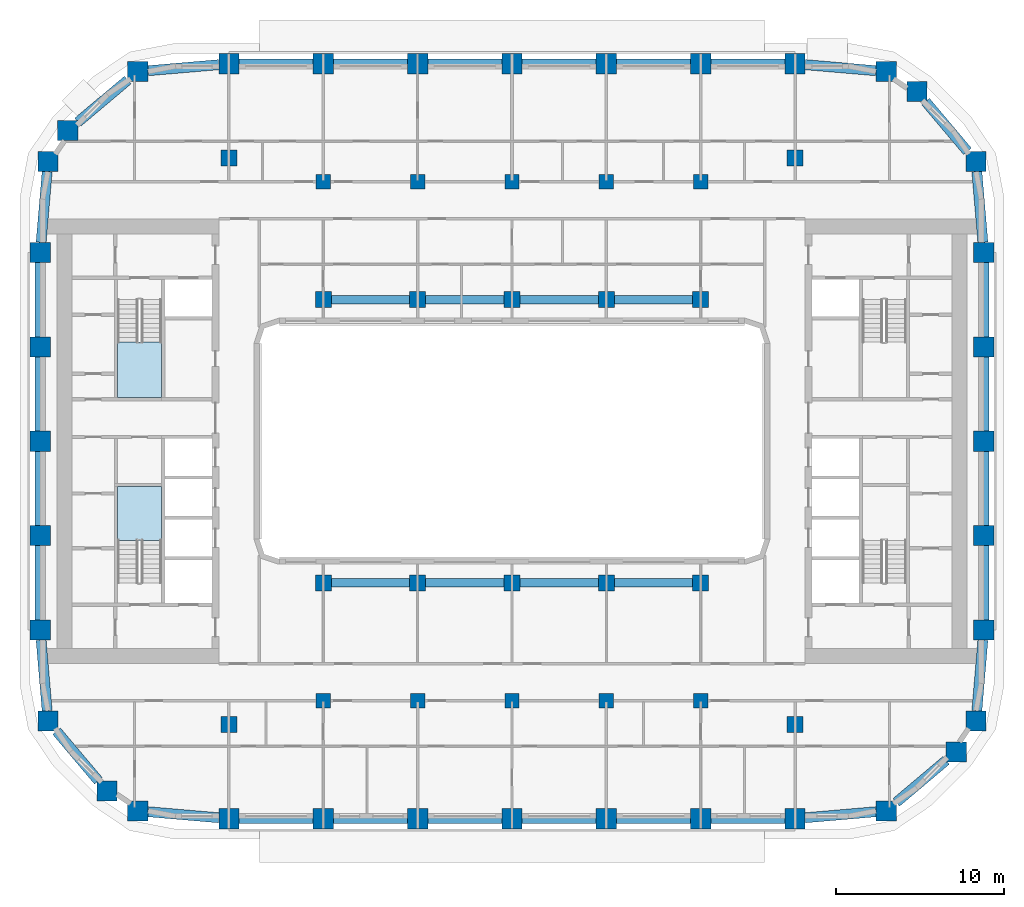
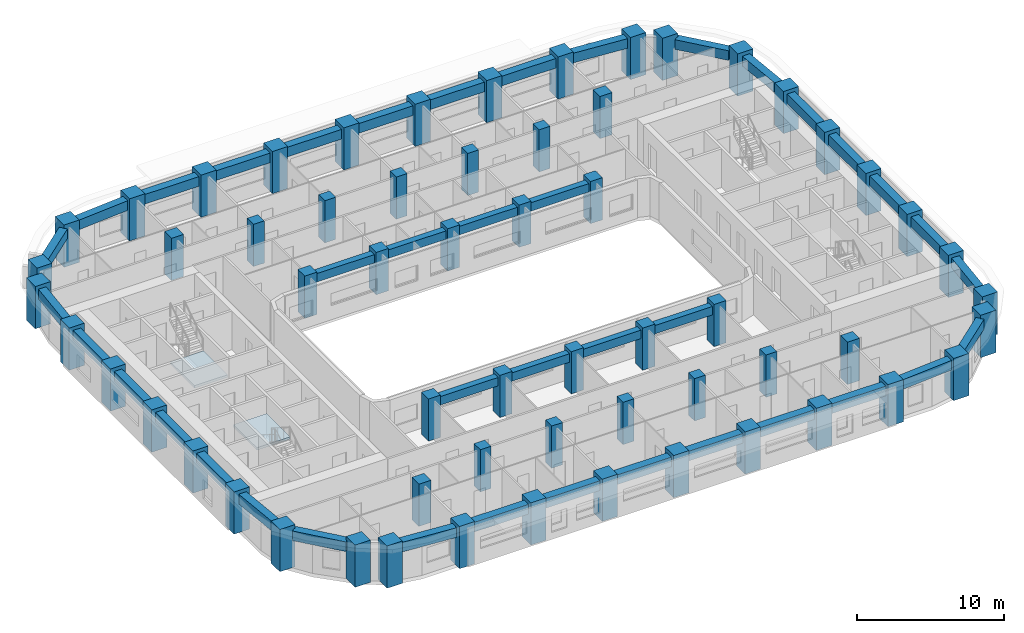
# One storey, part 1 of 21: 60 columns, 40 beams, 2 slabs, 2 elements without a shape of their own.
"""IFC4 building model written with IfcOpenShell, lengths in metres."""

import ifcopenshell
import ifcopenshell.guid

model = None  # the IFC model being written
_history = None  # IfcOwnerHistory: only IFC2X3 demands one
_inside = {}  # id of a spatial element -> (the spatial element, [elements in it])
_under = {}  # id of a project, library or spatial element -> (it, [spatial elements below it])
_declared = {}  # id of a project -> (the project, [libraries it declares])
_typed = {}  # id of a type object -> (the type object, [elements of that type])
_made_of = {}  # id of a material, layer set ... -> (it, [elements and type objects made of it])


def new_model(schema):
    """Start an empty IFC model of exactly this schema.

    Asked for "IFC4X3", IfcOpenShell would pick the latest addendum, in which some entities
    have other attributes; the version numbers below select the first issue.
    IFC2X3 requires an IfcOwnerHistory on every rooted entity: one is made here for all.
    """
    global model, _history
    if schema == "IFC4X3":
        model = ifcopenshell.file(schema_version=(4, 3, 0, 0))
    else:
        model = ifcopenshell.file(schema=schema)
    _inside.clear()
    _under.clear()
    _declared.clear()
    _typed.clear()
    _made_of.clear()
    _history = None
    if model.schema == "IFC2X3":
        org = make("IfcOrganization", Name="unknown")
        user = make(
            "IfcPersonAndOrganization",
            ThePerson=make("IfcPerson", FamilyName="unknown"),
            TheOrganization=org,
        )
        app = make(
            "IfcApplication",
            ApplicationDeveloper=org,
            Version="unknown",
            ApplicationFullName="unknown",
            ApplicationIdentifier="unknown",
        )
        _history = make(
            "IfcOwnerHistory",
            OwningUser=user,
            OwningApplication=app,
            ChangeAction="ADDED",
            CreationDate=0,
        )
    return model


def make(cls, **values):
    """One entity of the class cls with the attributes given. An attribute that is None is left unset."""
    return model.create_entity(
        cls, **{name: value for name, value in values.items() if value is not None}
    )


def rooted(cls, **values):
    """An entity with a GlobalId (a new one), such as an element, a storey or a relation."""
    return make(cls, GlobalId=ifcopenshell.guid.new(), OwnerHistory=_history, **values)


def si_unit(unit_type, name, prefix=None):
    """IfcSIUnit, for example si_unit("LENGTHUNIT", "METRE", prefix="MILLI")."""
    return make("IfcSIUnit", UnitType=unit_type, Prefix=prefix, Name=name)


def assignment(units):
    """IfcUnitAssignment: the units of a project."""
    return None if units is None else make("IfcUnitAssignment", Units=units)


def point(xyz):
    """IfcCartesianPoint."""
    return None if xyz is None else make("IfcCartesianPoint", Coordinates=xyz)


def direction(xyz):
    """IfcDirection."""
    return None if xyz is None else make("IfcDirection", DirectionRatios=xyz)


def frame(location, z_axis=None, x_axis=None):
    """IfcAxis2Placement3D, a coordinate frame: its origin and axes. An axis left out is left unset."""
    return make(
        "IfcAxis2Placement3D",
        Location=point(location),
        Axis=direction(z_axis),
        RefDirection=direction(x_axis),
    )


def frame_2d(location, x_axis=None):
    """IfcAxis2Placement2D, a coordinate frame in the plane: its origin and x axis."""
    return make(
        "IfcAxis2Placement2D", Location=point(location), RefDirection=direction(x_axis)
    )


def origin():
    """The frame at (0, 0, 0) with its axes left unset."""
    return frame((0.0, 0.0, 0.0))


def origin_2d():
    """The frame at (0, 0) in the plane with its x axis left unset."""
    return frame_2d((0.0, 0.0))


def place(relative_to, where):
    """IfcLocalPlacement: puts the frame where relative to a parent placement (None: the world)."""
    return make(
        "IfcLocalPlacement", PlacementRelTo=relative_to, RelativePlacement=where
    )


def context(
    kind, dimensions, precision=None, world=None, true_north=None, identifier=None
):
    """IfcGeometricRepresentationContext, for example the 3D "Model" context."""
    return make(
        "IfcGeometricRepresentationContext",
        ContextIdentifier=identifier,
        ContextType=kind,
        CoordinateSpaceDimension=dimensions,
        Precision=precision,
        WorldCoordinateSystem=world,
        TrueNorth=true_north,
    )


def subcontext(parent, identifier, kind, view, scale=None):
    """IfcGeometricRepresentationSubContext, for example "Body" below "Model"."""
    return make(
        "IfcGeometricRepresentationSubContext",
        ContextIdentifier=identifier,
        ContextType=kind,
        ParentContext=parent,
        TargetScale=scale,
        TargetView=view,
    )


def project(units=None, contexts=None):
    """IfcProject with its units and contexts."""
    return rooted(
        "IfcProject",
        Name="project",
        RepresentationContexts=contexts,
        UnitsInContext=assignment(units),
    )


def spatial(cls, under=None, at=None, **own):
    """A site, building, storey or space (cls), placed at a placement, below another one or the project."""
    s = rooted(cls, ObjectPlacement=at, **own)
    if under is not None:
        _under.setdefault(under.id(), (under, []))[1].append(s)
    return s


def polyline(points):
    """IfcPolyline through the points."""
    return make("IfcPolyline", Points=[point(p) for p in points])


def profile(cls, at=None, kind="AREA", **sizes):
    """A parametric profile (cls). Its sizes go by their IFC names, for example OverallWidth=200.0."""
    return make(cls, ProfileType=kind, Position=at, **sizes)


def rectangle(**sizes):
    """IfcRectangleProfileDef."""
    return profile("IfcRectangleProfileDef", **sizes)


def outline(outer, holes=None, kind="AREA"):
    """IfcArbitraryClosedProfileDef: a profile drawn as a closed curve; with holes, ...WithVoids."""
    if holes is None:
        return make("IfcArbitraryClosedProfileDef", ProfileType=kind, OuterCurve=outer)
    return make(
        "IfcArbitraryProfileDefWithVoids",
        ProfileType=kind,
        OuterCurve=outer,
        InnerCurves=holes,
    )


def extrude(swept, where, along, depth):
    """IfcExtrudedAreaSolid: the profile swept, set in the frame where, extruded along a direction by depth."""
    return make(
        "IfcExtrudedAreaSolid",
        SweptArea=swept,
        Position=where,
        ExtrudedDirection=direction(along),
        Depth=depth,
    )


def shape(context_of_items, identifier, shape_type, items):
    """IfcShapeRepresentation: the items that make up one representation, for example the "Body"."""
    return make(
        "IfcShapeRepresentation",
        ContextOfItems=context_of_items,
        RepresentationIdentifier=identifier,
        RepresentationType=shape_type,
        Items=items,
    )


def material(Name=None, Category=None):
    """IfcMaterial."""
    return make("IfcMaterial", Name=Name, Category=Category)


def layer(
    of_material, thickness, ventilated=None, Name=None, Category=None, Priority=None
):
    """IfcMaterialLayer: one layer of a wall or slab, of a material (None: an air gap)."""
    return make(
        "IfcMaterialLayer",
        Material=of_material,
        LayerThickness=thickness,
        IsVentilated=ventilated,
        Name=Name,
        Category=Category,
        Priority=Priority,
    )


def layer_set(layers, Name=None):
    """IfcMaterialLayerSet."""
    return make("IfcMaterialLayerSet", MaterialLayers=layers, LayerSetName=Name)


def material_profile(
    of_material, cross_section, Name=None, Category=None, Priority=None
):
    """IfcMaterialProfile: a cross section and its material."""
    return make(
        "IfcMaterialProfile",
        Name=Name,
        Material=of_material,
        Profile=cross_section,
        Priority=Priority,
        Category=Category,
    )


def profile_set(profiles, Name=None, composite=None):
    """IfcMaterialProfileSet."""
    return make(
        "IfcMaterialProfileSet",
        Name=Name,
        MaterialProfiles=profiles,
        CompositeProfile=composite,
    )


def made_of(thing, what):
    """Note that an element or type object is made of a material, layer set ...; save() writes the relation."""
    if what is not None:
        _made_of.setdefault(what.id(), (what, []))[1].append(thing)
    return thing


def type_object(cls, material=None, **own):
    """A type object (cls), such as IfcWallType, which elements share."""
    return made_of(rooted(cls, **own), material)


def element(
    cls,
    number,
    at=None,
    inside=None,
    cuts=None,
    type_object=None,
    material=None,
    context=None,
    identifier="Body",
    shape_type=None,
    held_by="IfcProductDefinitionShape",
    body=None,
    shapes=None,
    **own,
):
    """One element of the class cls, such as IfcWall. Its Tag is "e" and its number.

    at: its placement. inside: the storey or other place that contains it. cuts: it is an
    opening in that element (IfcRelVoidsElement). A single representation is given by context,
    identifier, shape_type and body (its items); several are given by shapes. held_by: the class
    of the entity that holds the representations. save() writes the other relations.
    """
    e = rooted(cls, Tag="e%d" % number, ObjectPlacement=at, **own)
    if body is not None:
        shapes = [shape(context, identifier, shape_type, body)]
    if shapes is not None:
        e.Representation = make(held_by, Representations=shapes)
    if inside is not None:
        _inside.setdefault(inside.id(), (inside, []))[1].append(e)
    if cuts is not None:
        rooted(
            "IfcRelVoidsElement", RelatingBuildingElement=cuts, RelatedOpeningElement=e
        )
    if type_object is not None:
        _typed.setdefault(type_object.id(), (type_object, []))[1].append(e)
    return made_of(e, material)


def aggregate(whole, parts):
    """IfcRelAggregates: a whole, such as a stair, and the parts it consists of."""
    return rooted("IfcRelAggregates", RelatingObject=whole, RelatedObjects=parts)


def save(model, path):
    """Write the relations noted so far, then the file.

    IfcRelAggregates (storeys below a building ...), IfcRelContainedInSpatialStructure (elements
    in a storey), IfcRelDefinesByType, IfcRelAssociatesMaterial and IfcRelDeclares: one each for
    every whole, place, type object, material and project.
    """
    for whole, parts in _under.values():
        aggregate(whole, parts)
    for where, things in _inside.values():
        rooted(
            "IfcRelContainedInSpatialStructure",
            RelatedElements=things,
            RelatingStructure=where,
        )
    for kind, things in _typed.values():
        rooted("IfcRelDefinesByType", RelatedObjects=things, RelatingType=kind)
    for what, things in _made_of.values():
        rooted("IfcRelAssociatesMaterial", RelatedObjects=things, RelatingMaterial=what)
    for by, libraries in _declared.values():
        rooted("IfcRelDeclares", RelatingContext=by, RelatedDefinitions=libraries)
    model.write(path)


model = new_model("IFC4")

# Units and contexts
model_context = context("Model", 3, precision=1e-05, world=origin(), true_north=direction((0.0, 1.0)))
body_context = subcontext(model_context, "Body", "Model", "MODEL_VIEW")
ifc_project = project(units=[si_unit("LENGTHUNIT", "METRE"), si_unit("AREAUNIT", "SQUARE_METRE"), si_unit("VOLUMEUNIT", "CUBIC_METRE"), si_unit("PLANEANGLEUNIT", "RADIAN"), si_unit("MASSUNIT", "GRAM", prefix="KILO")], contexts=[model_context])

# Site, building, storey
site_placement = place(None, origin())
site = spatial("IfcSite", under=ifc_project, at=site_placement, CompositionType="ELEMENT")
building_placement = place(site_placement, origin())
building = spatial("IfcBuilding", under=site, at=building_placement, Name="Kiln Ring Residences", CompositionType="ELEMENT")
storey_placement = place(building_placement, frame((0.0, 0.0, 114.800048828125)))
storey = spatial("IfcBuildingStorey", under=building, at=storey_placement, Name="L29", CompositionType="ELEMENT", Elevation=114.800048828125)

# Columns
ifc_material_1 = material(Name="Concrete C80/95", Category="concrete")
ifc_material_profile_1 = material_profile(ifc_material_1, rectangle(XDim=0.85009765625, YDim=0.85009765625, at=origin_2d()), Name="RC850x850")
ifc_profile_set_1 = profile_set([ifc_material_profile_1], Name="Concrete C80/95")
column_type_1 = type_object("IfcColumnType", Name="Corridor column RC850x850 C80/95", PredefinedType="COLUMN", material=ifc_profile_set_1)
for number, where, z_axis, x_axis, name in (
    (1, (-11.199951171875, 15.39990234375, 0.0), (0.0, 0.0, 1.0), (1.0, 0.0, 0.0), "Corridor column L29 1"),
    (2, (-5.60009765625, 15.39990234375, 0.0), (0.0, 0.0, 1.0), (1.0, 0.0, 0.0), "Corridor column L29 2"),
    (3, (0.0, 15.39990234375, 0.0), (0.0, 0.0, 1.0), (1.0, 0.0, 0.0), "Corridor column L29 3"),
    (4, (5.60009765625, 15.39990234375, 0.0), (0.0, 0.0, 1.0), (1.0, 0.0, 0.0), "Corridor column L29 4"),
    (5, (11.199951171875, 15.39990234375, 0.0), (0.0, 0.0, 1.0), (1.0, 0.0, 0.0), "Corridor column L29 5"),
    (6, (-11.199951171875, -15.39990234375, 0.0), (0.0, 0.0, 1.0), (1.0, 0.0, 0.0), "Corridor column L29 6"),
    (7, (-5.60009765625, -15.39990234375, 0.0), (0.0, 0.0, 1.0), (1.0, 0.0, 0.0), "Corridor column L29 7"),
    (8, (0.0, -15.39990234375, 0.0), (0.0, 0.0, 1.0), (1.0, 0.0, 0.0), "Corridor column L29 8"),
    (9, (5.60009765625, -15.39990234375, 0.0), (0.0, 0.0, 1.0), (1.0, 0.0, 0.0), "Corridor column L29 9"),
    (10, (11.199951171875, -15.39990234375, 0.0), (0.0, 0.0, 1.0), (1.0, 0.0, 0.0), "Corridor column L29 10"),
):
    element("IfcColumn", number, at=place(storey_placement, frame(where, z_axis=z_axis, x_axis=x_axis)), inside=storey, type_object=column_type_1, Name=name, PredefinedType="COLUMN", context=body_context, shape_type="SweptSolid", body=[
        extrude(rectangle(XDim=0.85009765625, YDim=0.85009765625, at=origin_2d()), origin(), (0.0, 0.0, 1.0), 3.5),
    ])
ifc_material_2 = material(Name="Concrete C80/95", Category="concrete")
ifc_material_profile_2 = material_profile(ifc_material_2, rectangle(XDim=1.199951171875, YDim=1.199951171875, at=origin_2d()), Name="RC1200x1200")
ifc_profile_set_2 = profile_set([ifc_material_profile_2], Name="Concrete C80/95")
column_type_2 = type_object("IfcColumnType", Name="Perimeter column RC1200x1200 C80/95", PredefinedType="COLUMN", material=ifc_profile_set_2)
for number, where, z_axis, x_axis, name in (
    (11, (-22.208740234375, -21.93798828125, 0.0), (0.0, 0.0, 1.0), (1.0, 0.0, 0.0), "Perimeter column L29 1"),
    (12, (-16.800048828125, -22.39990234375, 0.0), (0.0, 0.0, 1.0), (1.0, 0.0, 0.0), "Perimeter column L29 2"),
    (13, (-11.199951171875, -22.39990234375, 0.0), (0.0, 0.0, 1.0), (1.0, 0.0, 0.0), "Perimeter column L29 3"),
    (14, (-5.60009765625, -22.39990234375, 0.0), (0.0, 0.0, 1.0), (1.0, 0.0, 0.0), "Perimeter column L29 4"),
    (15, (0.0, -22.39990234375, 0.0), (0.0, 0.0, 1.0), (1.0, 0.0, 0.0), "Perimeter column L29 5"),
    (16, (5.60009765625, -22.39990234375, 0.0), (0.0, 0.0, 1.0), (1.0, 0.0, 0.0), "Perimeter column L29 6"),
    (17, (11.199951171875, -22.39990234375, 0.0), (0.0, 0.0, 1.0), (1.0, 0.0, 0.0), "Perimeter column L29 7"),
    (18, (16.800048828125, -22.39990234375, 0.0), (0.0, 0.0, 1.0), (1.0, 0.0, 0.0), "Perimeter column L29 8"),
    (19, (22.208740234375, -21.93798828125, 0.0), (0.0, 0.0, 1.0), (1.0, 0.0, 0.0), "Perimeter column L29 9"),
    (20, (26.35986328125, -18.440185546875, 0.0), (0.0, 0.0, 1.0), (1.0, 0.0, 0.0), "Perimeter column L29 10"),
    (21, (27.5380859375, -16.608642578125, 0.0), (0.0, 0.0, 1.0), (1.0, 0.0, 0.0), "Perimeter column L29 11"),
    (22, (28.0, -11.199951171875, 0.0), (0.0, 0.0, 1.0), (1.0, 0.0, 0.0), "Perimeter column L29 12"),
    (23, (28.0, -5.60009765625, 0.0), (0.0, 0.0, 1.0), (1.0, 0.0, 0.0), "Perimeter column L29 13"),
    (24, (28.0, 0.0, 0.0), (0.0, 0.0, 1.0), (1.0, 0.0, 0.0), "Perimeter column L29 14"),
    (25, (28.0, 5.60009765625, 0.0), (0.0, 0.0, 1.0), (1.0, 0.0, 0.0), "Perimeter column L29 15"),
    (26, (28.0, 11.199951171875, 0.0), (0.0, 0.0, 1.0), (1.0, 0.0, 0.0), "Perimeter column L29 16"),
    (27, (27.5380859375, 16.608642578125, 0.0), (0.0, 0.0, 1.0), (1.0, 0.0, 0.0), "Perimeter column L29 17"),
    (28, (24.040283203125, 20.759765625, 0.0), (0.0, 0.0, 1.0), (1.0, 0.0, 0.0), "Perimeter column L29 18"),
    (29, (22.208740234375, 21.93798828125, 0.0), (0.0, 0.0, 1.0), (1.0, 0.0, 0.0), "Perimeter column L29 19"),
    (30, (16.800048828125, 22.39990234375, 0.0), (0.0, 0.0, 1.0), (1.0, 0.0, 0.0), "Perimeter column L29 20"),
    (31, (11.199951171875, 22.39990234375, 0.0), (0.0, 0.0, 1.0), (1.0, 0.0, 0.0), "Perimeter column L29 21"),
    (32, (5.60009765625, 22.39990234375, 0.0), (0.0, 0.0, 1.0), (1.0, 0.0, 0.0), "Perimeter column L29 22"),
    (33, (0.0, 22.39990234375, 0.0), (0.0, 0.0, 1.0), (1.0, 0.0, 0.0), "Perimeter column L29 23"),
    (34, (-5.60009765625, 22.39990234375, 0.0), (0.0, 0.0, 1.0), (1.0, 0.0, 0.0), "Perimeter column L29 24"),
    (35, (-11.199951171875, 22.39990234375, 0.0), (0.0, 0.0, 1.0), (1.0, 0.0, 0.0), "Perimeter column L29 25"),
    (36, (-16.800048828125, 22.39990234375, 0.0), (0.0, 0.0, 1.0), (1.0, 0.0, 0.0), "Perimeter column L29 26"),
    (37, (-22.208740234375, 21.93798828125, 0.0), (0.0, 0.0, 1.0), (1.0, 0.0, 0.0), "Perimeter column L29 27"),
    (38, (-26.35986328125, 18.440185546875, 0.0), (0.0, 0.0, 1.0), (1.0, 0.0, 0.0), "Perimeter column L29 28"),
    (39, (-27.5380859375, 16.608642578125, 0.0), (0.0, 0.0, 1.0), (1.0, 0.0, 0.0), "Perimeter column L29 29"),
    (40, (-28.0, 11.199951171875, 0.0), (0.0, 0.0, 1.0), (1.0, 0.0, 0.0), "Perimeter column L29 30"),
    (41, (-28.0, 5.60009765625, 0.0), (0.0, 0.0, 1.0), (1.0, 0.0, 0.0), "Perimeter column L29 31"),
    (42, (-28.0, 0.0, 0.0), (0.0, 0.0, 1.0), (1.0, 0.0, 0.0), "Perimeter column L29 32"),
    (43, (-28.0, -5.60009765625, 0.0), (0.0, 0.0, 1.0), (1.0, 0.0, 0.0), "Perimeter column L29 33"),
    (44, (-28.0, -11.199951171875, 0.0), (0.0, 0.0, 1.0), (1.0, 0.0, 0.0), "Perimeter column L29 34"),
    (45, (-27.5380859375, -16.608642578125, 0.0), (0.0, 0.0, 1.0), (1.0, 0.0, 0.0), "Perimeter column L29 35"),
    (46, (-24.040283203125, -20.759765625, 0.0), (0.0, 0.0, 1.0), (1.0, 0.0, 0.0), "Perimeter column L29 36"),
):
    element("IfcColumn", number, at=place(storey_placement, frame(where, z_axis=z_axis, x_axis=x_axis)), inside=storey, type_object=column_type_2, Name=name, PredefinedType="COLUMN", context=body_context, shape_type="SweptSolid", body=[
        extrude(rectangle(XDim=1.199951171875, YDim=1.199951171875, at=origin_2d()), origin(), (0.0, 0.0, 1.0), 3.5),
    ])
ifc_material_3 = material(Name="Concrete C80/95", Category="concrete")
ifc_material_profile_3 = material_profile(ifc_material_3, rectangle(XDim=0.949951171875, YDim=0.949951171875, at=origin_2d()), Name="RC950x950")
ifc_profile_set_3 = profile_set([ifc_material_profile_3], Name="Concrete C80/95")
column_type_3 = type_object("IfcColumnType", Name="Ring column RC950x950 C80/95", PredefinedType="COLUMN", material=ifc_profile_set_3)
for number, where, z_axis, x_axis, name in (
    (47, (-16.800048828125, -16.800048828125, 0.0), (0.0, 0.0, 1.0), (1.0, 0.0, 0.0), "Ring column L29 1"),
    (48, (-16.800048828125, 16.800048828125, 0.0), (0.0, 0.0, 1.0), (1.0, 0.0, 0.0), "Ring column L29 2"),
    (49, (-11.199951171875, -8.39990234375, 0.0), (0.0, 0.0, 1.0), (1.0, 0.0, 0.0), "Ring column L29 3"),
    (50, (-11.199951171875, 8.39990234375, 0.0), (0.0, 0.0, 1.0), (1.0, 0.0, 0.0), "Ring column L29 4"),
    (51, (-5.60009765625, -8.39990234375, 0.0), (0.0, 0.0, 1.0), (1.0, 0.0, 0.0), "Ring column L29 5"),
    (52, (-5.60009765625, 8.39990234375, 0.0), (0.0, 0.0, 1.0), (1.0, 0.0, 0.0), "Ring column L29 6"),
    (53, (0.0, -8.39990234375, 0.0), (0.0, 0.0, 1.0), (1.0, 0.0, 0.0), "Ring column L29 7"),
    (54, (0.0, 8.39990234375, 0.0), (0.0, 0.0, 1.0), (1.0, 0.0, 0.0), "Ring column L29 8"),
    (55, (5.60009765625, -8.39990234375, 0.0), (0.0, 0.0, 1.0), (1.0, 0.0, 0.0), "Ring column L29 9"),
    (56, (5.60009765625, 8.39990234375, 0.0), (0.0, 0.0, 1.0), (1.0, 0.0, 0.0), "Ring column L29 10"),
    (57, (11.199951171875, -8.39990234375, 0.0), (0.0, 0.0, 1.0), (1.0, 0.0, 0.0), "Ring column L29 11"),
    (58, (11.199951171875, 8.39990234375, 0.0), (0.0, 0.0, 1.0), (1.0, 0.0, 0.0), "Ring column L29 12"),
    (59, (16.800048828125, -16.800048828125, 0.0), (0.0, 0.0, 1.0), (1.0, 0.0, 0.0), "Ring column L29 13"),
    (60, (16.800048828125, 16.800048828125, 0.0), (0.0, 0.0, 1.0), (1.0, 0.0, 0.0), "Ring column L29 14"),
):
    element("IfcColumn", number, at=place(storey_placement, frame(where, z_axis=z_axis, x_axis=x_axis)), inside=storey, type_object=column_type_3, Name=name, PredefinedType="COLUMN", context=body_context, shape_type="SweptSolid", body=[
        extrude(rectangle(XDim=0.949951171875, YDim=0.949951171875, at=origin_2d()), origin(), (0.0, 0.0, 1.0), 3.5),
    ])

# Beams
ifc_material_4 = material(Name="Concrete C50/60", Category="concrete")
ifc_material_profile_4 = material_profile(ifc_material_4, rectangle(XDim=0.5, YDim=0.699951171875, at=origin_2d()), Name="RC500x700")
ifc_profile_set_4 = profile_set([ifc_material_profile_4], Name="Concrete C50/60")
beam_type_1 = type_object("IfcBeamType", Name="Ring beam RC500x700 C50/60", PredefinedType="BEAM", material=ifc_profile_set_4)
beam_1_placement = place(storey_placement, frame((-10.72509765625, -8.39990234375, 2.849853515625), z_axis=(1.0, 0.0, 0.0), x_axis=(0.0, 1.0, 0.0)))
element("IfcBeam", 61, at=beam_1_placement, inside=storey, type_object=beam_type_1, Name="Ring beam L29 1", PredefinedType="BEAM", context=body_context, shape_type="SweptSolid", body=[
    extrude(rectangle(XDim=0.5, YDim=0.699951171875, at=origin_2d()), origin(), (0.0, 0.0, 1.0), 4.650146484375),
])
for number, where, z_axis, x_axis, name in (
    (62, (-5.125, -8.39990234375, 2.849853515625), (1.0, 0.0, 0.0), (0.0, 1.0, 0.0), "Ring beam L29 2"),
    (63, (0.47509765625, -8.39990234375, 2.849853515625), (1.0, 0.0, 0.0), (0.0, 1.0, 0.0), "Ring beam L29 3"),
):
    element("IfcBeam", number, at=place(storey_placement, frame(where, z_axis=z_axis, x_axis=x_axis)), inside=storey, type_object=beam_type_1, Name=name, PredefinedType="BEAM", context=body_context, shape_type="SweptSolid", body=[
        extrude(rectangle(XDim=0.5, YDim=0.699951171875, at=origin_2d()), origin(), (0.0, 0.0, 1.0), 4.64990234375),
    ])
for number, where, z_axis, x_axis, name in (
    (64, (6.074951171875, -8.39990234375, 2.849853515625), (1.0, 0.0, 0.0), (0.0, 1.0, 0.0), "Ring beam L29 4"),
    (65, (-10.72509765625, 8.39990234375, 2.849853515625), (1.0, 0.0, 0.0), (0.0, 1.0, 0.0), "Ring beam L29 5"),
):
    element("IfcBeam", number, at=place(storey_placement, frame(where, z_axis=z_axis, x_axis=x_axis)), inside=storey, type_object=beam_type_1, Name=name, PredefinedType="BEAM", context=body_context, shape_type="SweptSolid", body=[
        extrude(rectangle(XDim=0.5, YDim=0.699951171875, at=origin_2d()), origin(), (0.0, 0.0, 1.0), 4.650146484375),
    ])
for number, where, z_axis, x_axis, name in (
    (66, (-5.125, 8.39990234375, 2.849853515625), (1.0, 0.0, 0.0), (0.0, 1.0, 0.0), "Ring beam L29 6"),
    (67, (0.47509765625, 8.39990234375, 2.849853515625), (1.0, 0.0, 0.0), (0.0, 1.0, 0.0), "Ring beam L29 7"),
):
    element("IfcBeam", number, at=place(storey_placement, frame(where, z_axis=z_axis, x_axis=x_axis)), inside=storey, type_object=beam_type_1, Name=name, PredefinedType="BEAM", context=body_context, shape_type="SweptSolid", body=[
        extrude(rectangle(XDim=0.5, YDim=0.699951171875, at=origin_2d()), origin(), (0.0, 0.0, 1.0), 4.64990234375),
    ])
beam_2_placement = place(storey_placement, frame((6.074951171875, 8.39990234375, 2.849853515625), z_axis=(1.0, 0.0, 0.0), x_axis=(0.0, 1.0, 0.0)))
element("IfcBeam", 68, at=beam_2_placement, inside=storey, type_object=beam_type_1, Name="Ring beam L29 8", PredefinedType="BEAM", context=body_context, shape_type="SweptSolid", body=[
    extrude(rectangle(XDim=0.5, YDim=0.699951171875, at=origin_2d()), origin(), (0.0, 0.0, 1.0), 4.650146484375),
])
ifc_material_5 = material(Name="Concrete C50/60", Category="concrete")
ifc_material_profile_5 = material_profile(ifc_material_5, rectangle(XDim=0.60009765625, YDim=0.800048828125, at=origin_2d()), Name="RC600x800")
ifc_profile_set_5 = profile_set([ifc_material_profile_5], Name="Concrete C50/60")
beam_type_2 = type_object("IfcBeamType", Name="Spandrel beam RC600x800 C50/60", PredefinedType="SPANDREL", material=ifc_profile_set_5)
beam_3_placement = place(storey_placement, frame((-21.608642578125, -21.9892578125, 2.800048828125), z_axis=(0.996369376645, -0.085135570033, 0.0), x_axis=(0.085135570033, 0.996369376645, 0.0)))
element("IfcBeam", 69, at=beam_3_placement, inside=storey, type_object=beam_type_2, Name="Spandrel beam L29 1", PredefinedType="SPANDREL", context=body_context, shape_type="SweptSolid", body=[
    extrude(rectangle(XDim=0.60009765625, YDim=0.800048828125, at=origin_2d()), origin(), (0.0, 0.0, 1.0), 4.22412109375),
])
beam_4_placement = place(storey_placement, frame((-16.199951171875, -22.39990234375, 2.800048828125), z_axis=(1.0, 0.0, 0.0), x_axis=(0.0, 1.0, 0.0)))
element("IfcBeam", 70, at=beam_4_placement, inside=storey, type_object=beam_type_2, Name="Spandrel beam L29 2", PredefinedType="SPANDREL", context=body_context, shape_type="SweptSolid", body=[
    extrude(rectangle(XDim=0.60009765625, YDim=0.800048828125, at=origin_2d()), origin(), (0.0, 0.0, 1.0), 4.39990234375),
])
beam_5_placement = place(storey_placement, frame((-10.60009765625, -22.39990234375, 2.800048828125), z_axis=(1.0, 0.0, 0.0), x_axis=(0.0, 1.0, 0.0)))
element("IfcBeam", 71, at=beam_5_placement, inside=storey, type_object=beam_type_2, Name="Spandrel beam L29 3", PredefinedType="SPANDREL", context=body_context, shape_type="SweptSolid", body=[
    extrude(rectangle(XDim=0.60009765625, YDim=0.800048828125, at=origin_2d()), origin(), (0.0, 0.0, 1.0), 4.400146484375),
])
for number, where, z_axis, x_axis, name in (
    (72, (-5.0, -22.39990234375, 2.800048828125), (1.0, 0.0, 0.0), (0.0, 1.0, 0.0), "Spandrel beam L29 4"),
    (73, (0.60009765625, -22.39990234375, 2.800048828125), (1.0, 0.0, 0.0), (0.0, 1.0, 0.0), "Spandrel beam L29 5"),
):
    element("IfcBeam", number, at=place(storey_placement, frame(where, z_axis=z_axis, x_axis=x_axis)), inside=storey, type_object=beam_type_2, Name=name, PredefinedType="SPANDREL", context=body_context, shape_type="SweptSolid", body=[
        extrude(rectangle(XDim=0.60009765625, YDim=0.800048828125, at=origin_2d()), origin(), (0.0, 0.0, 1.0), 4.39990234375),
    ])
beam_6_placement = place(storey_placement, frame((6.199951171875, -22.39990234375, 2.800048828125), z_axis=(1.0, 0.0, 0.0), x_axis=(0.0, 1.0, 0.0)))
element("IfcBeam", 74, at=beam_6_placement, inside=storey, type_object=beam_type_2, Name="Spandrel beam L29 6", PredefinedType="SPANDREL", context=body_context, shape_type="SweptSolid", body=[
    extrude(rectangle(XDim=0.60009765625, YDim=0.800048828125, at=origin_2d()), origin(), (0.0, 0.0, 1.0), 4.400146484375),
])
beam_7_placement = place(storey_placement, frame((11.800048828125, -22.39990234375, 2.800048828125), z_axis=(1.0, 0.0, 0.0), x_axis=(0.0, 1.0, 0.0)))
element("IfcBeam", 75, at=beam_7_placement, inside=storey, type_object=beam_type_2, Name="Spandrel beam L29 7", PredefinedType="SPANDREL", context=body_context, shape_type="SweptSolid", body=[
    extrude(rectangle(XDim=0.60009765625, YDim=0.800048828125, at=origin_2d()), origin(), (0.0, 0.0, 1.0), 4.39990234375),
])
beam_8_placement = place(storey_placement, frame((17.39990234375, -22.348876953125, 2.800048828125), z_axis=(0.996369376645, 0.085135570033, 0.0), x_axis=(-0.085135570033, 0.996369376645, 0.0)))
element("IfcBeam", 76, at=beam_8_placement, inside=storey, type_object=beam_type_2, Name="Spandrel beam L29 8", PredefinedType="SPANDREL", context=body_context, shape_type="SweptSolid", body=[
    extrude(rectangle(XDim=0.60009765625, YDim=0.800048828125, at=origin_2d()), origin(), (0.0, 0.0, 1.0), 4.22412109375),
])
beam_9_placement = place(storey_placement, frame((22.80859375, -21.4326171875, 2.800048828125), z_axis=(0.764704456802, 0.644381171161, 0.0), x_axis=(-0.644381171161, 0.764704456802, 0.0)))
element("IfcBeam", 77, at=beam_9_placement, inside=storey, type_object=beam_type_2, Name="Spandrel beam L29 9", PredefinedType="SPANDREL", context=body_context, shape_type="SweptSolid", body=[
    extrude(rectangle(XDim=0.60009765625, YDim=0.800048828125, at=origin_2d()), origin(), (0.0, 0.0, 1.0), 3.859130859375),
])
beam_10_placement = place(storey_placement, frame((27.58935546875, -16.0087890625, 2.800048828125), z_axis=(0.085078191129, 0.996374277766, 0.0), x_axis=(-0.996374277766, 0.085078191129, 0.0)))
element("IfcBeam", 78, at=beam_10_placement, inside=storey, type_object=beam_type_2, Name="Spandrel beam L29 10", PredefinedType="SPANDREL", context=body_context, shape_type="SweptSolid", body=[
    extrude(rectangle(XDim=0.60009765625, YDim=0.800048828125, at=origin_2d()), origin(), (0.0, 0.0, 1.0), 4.22412109375),
])
beam_11_placement = place(storey_placement, frame((28.0, -10.60009765625, 2.800048828125), z_axis=(0.0, 1.0, 0.0), x_axis=(-1.0, 0.0, 0.0)))
element("IfcBeam", 79, at=beam_11_placement, inside=storey, type_object=beam_type_2, Name="Spandrel beam L29 11", PredefinedType="SPANDREL", context=body_context, shape_type="SweptSolid", body=[
    extrude(rectangle(XDim=0.60009765625, YDim=0.800048828125, at=origin_2d()), origin(), (0.0, 0.0, 1.0), 4.400146484375),
])
for number, where, z_axis, x_axis, name in (
    (80, (28.0, -5.0, 2.800048828125), (0.0, 1.0, 0.0), (-1.0, 0.0, 0.0), "Spandrel beam L29 12"),
    (81, (28.0, 0.60009765625, 2.800048828125), (0.0, 1.0, 0.0), (-1.0, 0.0, 0.0), "Spandrel beam L29 13"),
):
    element("IfcBeam", number, at=place(storey_placement, frame(where, z_axis=z_axis, x_axis=x_axis)), inside=storey, type_object=beam_type_2, Name=name, PredefinedType="SPANDREL", context=body_context, shape_type="SweptSolid", body=[
        extrude(rectangle(XDim=0.60009765625, YDim=0.800048828125, at=origin_2d()), origin(), (0.0, 0.0, 1.0), 4.39990234375),
    ])
beam_12_placement = place(storey_placement, frame((28.0, 6.199951171875, 2.800048828125), z_axis=(0.0, 1.0, 0.0), x_axis=(-1.0, 0.0, 0.0)))
element("IfcBeam", 82, at=beam_12_placement, inside=storey, type_object=beam_type_2, Name="Spandrel beam L29 14", PredefinedType="SPANDREL", context=body_context, shape_type="SweptSolid", body=[
    extrude(rectangle(XDim=0.60009765625, YDim=0.800048828125, at=origin_2d()), origin(), (0.0, 0.0, 1.0), 4.400146484375),
])
beam_13_placement = place(storey_placement, frame((27.94873046875, 11.800048828125, 2.800048828125), z_axis=(-0.085078191129, 0.996374277766, 0.0), x_axis=(-0.996374277766, -0.085078191129, 0.0)))
element("IfcBeam", 83, at=beam_13_placement, inside=storey, type_object=beam_type_2, Name="Spandrel beam L29 15", PredefinedType="SPANDREL", context=body_context, shape_type="SweptSolid", body=[
    extrude(rectangle(XDim=0.60009765625, YDim=0.800048828125, at=origin_2d()), origin(), (0.0, 0.0, 1.0), 4.22412109375),
])
beam_14_placement = place(storey_placement, frame((27.032470703125, 17.208740234375, 2.800048828125), z_axis=(-0.644344175314, 0.764735629965, 0.0), x_axis=(-0.764735629965, -0.644344175314, 0.0)))
element("IfcBeam", 84, at=beam_14_placement, inside=storey, type_object=beam_type_2, Name="Spandrel beam L29 16", PredefinedType="SPANDREL", context=body_context, shape_type="SweptSolid", body=[
    extrude(rectangle(XDim=0.60009765625, YDim=0.800048828125, at=origin_2d()), origin(), (0.0, 0.0, 1.0), 3.859130859375),
])
beam_15_placement = place(storey_placement, frame((21.608642578125, 21.9892578125, 2.800048828125), z_axis=(-0.996369376645, 0.085135570033, 0.0), x_axis=(-0.085135570033, -0.996369376645, 0.0)))
element("IfcBeam", 85, at=beam_15_placement, inside=storey, type_object=beam_type_2, Name="Spandrel beam L29 17", PredefinedType="SPANDREL", context=body_context, shape_type="SweptSolid", body=[
    extrude(rectangle(XDim=0.60009765625, YDim=0.800048828125, at=origin_2d()), origin(), (0.0, 0.0, 1.0), 4.22412109375),
])
beam_16_placement = place(storey_placement, frame((16.199951171875, 22.39990234375, 2.800048828125), z_axis=(-1.0, 0.0, 0.0), x_axis=(0.0, -1.0, 0.0)))
element("IfcBeam", 86, at=beam_16_placement, inside=storey, type_object=beam_type_2, Name="Spandrel beam L29 18", PredefinedType="SPANDREL", context=body_context, shape_type="SweptSolid", body=[
    extrude(rectangle(XDim=0.60009765625, YDim=0.800048828125, at=origin_2d()), origin(), (0.0, 0.0, 1.0), 4.39990234375),
])
beam_17_placement = place(storey_placement, frame((10.60009765625, 22.39990234375, 2.800048828125), z_axis=(-1.0, 0.0, 0.0), x_axis=(0.0, -1.0, 0.0)))
element("IfcBeam", 87, at=beam_17_placement, inside=storey, type_object=beam_type_2, Name="Spandrel beam L29 19", PredefinedType="SPANDREL", context=body_context, shape_type="SweptSolid", body=[
    extrude(rectangle(XDim=0.60009765625, YDim=0.800048828125, at=origin_2d()), origin(), (0.0, 0.0, 1.0), 4.400146484375),
])
for number, where, z_axis, x_axis, name in (
    (88, (5.0, 22.39990234375, 2.800048828125), (-1.0, 0.0, 0.0), (0.0, -1.0, 0.0), "Spandrel beam L29 20"),
    (89, (-0.60009765625, 22.39990234375, 2.800048828125), (-1.0, 0.0, 0.0), (0.0, -1.0, 0.0), "Spandrel beam L29 21"),
):
    element("IfcBeam", number, at=place(storey_placement, frame(where, z_axis=z_axis, x_axis=x_axis)), inside=storey, type_object=beam_type_2, Name=name, PredefinedType="SPANDREL", context=body_context, shape_type="SweptSolid", body=[
        extrude(rectangle(XDim=0.60009765625, YDim=0.800048828125, at=origin_2d()), origin(), (0.0, 0.0, 1.0), 4.39990234375),
    ])
beam_18_placement = place(storey_placement, frame((-6.199951171875, 22.39990234375, 2.800048828125), z_axis=(-1.0, 0.0, 0.0), x_axis=(0.0, -1.0, 0.0)))
element("IfcBeam", 90, at=beam_18_placement, inside=storey, type_object=beam_type_2, Name="Spandrel beam L29 22", PredefinedType="SPANDREL", context=body_context, shape_type="SweptSolid", body=[
    extrude(rectangle(XDim=0.60009765625, YDim=0.800048828125, at=origin_2d()), origin(), (0.0, 0.0, 1.0), 4.400146484375),
])
beam_19_placement = place(storey_placement, frame((-11.800048828125, 22.39990234375, 2.800048828125), z_axis=(-1.0, 0.0, 0.0), x_axis=(0.0, -1.0, 0.0)))
element("IfcBeam", 91, at=beam_19_placement, inside=storey, type_object=beam_type_2, Name="Spandrel beam L29 23", PredefinedType="SPANDREL", context=body_context, shape_type="SweptSolid", body=[
    extrude(rectangle(XDim=0.60009765625, YDim=0.800048828125, at=origin_2d()), origin(), (0.0, 0.0, 1.0), 4.39990234375),
])
beam_20_placement = place(storey_placement, frame((-17.39990234375, 22.348876953125, 2.800048828125), z_axis=(-0.996369376645, -0.085135570033, 0.0), x_axis=(0.085135570033, -0.996369376645, 0.0)))
element("IfcBeam", 92, at=beam_20_placement, inside=storey, type_object=beam_type_2, Name="Spandrel beam L29 24", PredefinedType="SPANDREL", context=body_context, shape_type="SweptSolid", body=[
    extrude(rectangle(XDim=0.60009765625, YDim=0.800048828125, at=origin_2d()), origin(), (0.0, 0.0, 1.0), 4.22412109375),
])
beam_21_placement = place(storey_placement, frame((-22.80859375, 21.4326171875, 2.800048828125), z_axis=(-0.764704456802, -0.644381171161, 0.0), x_axis=(0.644381171161, -0.764704456802, 0.0)))
element("IfcBeam", 93, at=beam_21_placement, inside=storey, type_object=beam_type_2, Name="Spandrel beam L29 25", PredefinedType="SPANDREL", context=body_context, shape_type="SweptSolid", body=[
    extrude(rectangle(XDim=0.60009765625, YDim=0.800048828125, at=origin_2d()), origin(), (0.0, 0.0, 1.0), 3.859130859375),
])
beam_22_placement = place(storey_placement, frame((-27.58935546875, 16.0087890625, 2.800048828125), z_axis=(-0.085078191129, -0.996374277766, 0.0), x_axis=(0.996374277766, -0.085078191129, 0.0)))
element("IfcBeam", 94, at=beam_22_placement, inside=storey, type_object=beam_type_2, Name="Spandrel beam L29 26", PredefinedType="SPANDREL", context=body_context, shape_type="SweptSolid", body=[
    extrude(rectangle(XDim=0.60009765625, YDim=0.800048828125, at=origin_2d()), origin(), (0.0, 0.0, 1.0), 4.22412109375),
])
beam_23_placement = place(storey_placement, frame((-28.0, 10.60009765625, 2.800048828125), z_axis=(0.0, -1.0, 0.0), x_axis=(1.0, 0.0, 0.0)))
element("IfcBeam", 95, at=beam_23_placement, inside=storey, type_object=beam_type_2, Name="Spandrel beam L29 27", PredefinedType="SPANDREL", context=body_context, shape_type="SweptSolid", body=[
    extrude(rectangle(XDim=0.60009765625, YDim=0.800048828125, at=origin_2d()), origin(), (0.0, 0.0, 1.0), 4.400146484375),
])
for number, where, z_axis, x_axis, name in (
    (96, (-28.0, 5.0, 2.800048828125), (0.0, -1.0, 0.0), (1.0, 0.0, 0.0), "Spandrel beam L29 28"),
    (97, (-28.0, -0.60009765625, 2.800048828125), (0.0, -1.0, 0.0), (1.0, 0.0, 0.0), "Spandrel beam L29 29"),
):
    element("IfcBeam", number, at=place(storey_placement, frame(where, z_axis=z_axis, x_axis=x_axis)), inside=storey, type_object=beam_type_2, Name=name, PredefinedType="SPANDREL", context=body_context, shape_type="SweptSolid", body=[
        extrude(rectangle(XDim=0.60009765625, YDim=0.800048828125, at=origin_2d()), origin(), (0.0, 0.0, 1.0), 4.39990234375),
    ])
beam_24_placement = place(storey_placement, frame((-28.0, -6.199951171875, 2.800048828125), z_axis=(0.0, -1.0, 0.0), x_axis=(1.0, 0.0, 0.0)))
element("IfcBeam", 98, at=beam_24_placement, inside=storey, type_object=beam_type_2, Name="Spandrel beam L29 30", PredefinedType="SPANDREL", context=body_context, shape_type="SweptSolid", body=[
    extrude(rectangle(XDim=0.60009765625, YDim=0.800048828125, at=origin_2d()), origin(), (0.0, 0.0, 1.0), 4.400146484375),
])
beam_25_placement = place(storey_placement, frame((-27.94873046875, -11.800048828125, 2.800048828125), z_axis=(0.085078191129, -0.996374277766, 0.0), x_axis=(0.996374277766, 0.085078191129, 0.0)))
element("IfcBeam", 99, at=beam_25_placement, inside=storey, type_object=beam_type_2, Name="Spandrel beam L29 31", PredefinedType="SPANDREL", context=body_context, shape_type="SweptSolid", body=[
    extrude(rectangle(XDim=0.60009765625, YDim=0.800048828125, at=origin_2d()), origin(), (0.0, 0.0, 1.0), 4.22412109375),
])
beam_26_placement = place(storey_placement, frame((-27.032470703125, -17.208740234375, 2.800048828125), z_axis=(0.644344175314, -0.764735629965, 0.0), x_axis=(0.764735629965, 0.644344175314, 0.0)))
element("IfcBeam", 100, at=beam_26_placement, inside=storey, type_object=beam_type_2, Name="Spandrel beam L29 32", PredefinedType="SPANDREL", context=body_context, shape_type="SweptSolid", body=[
    extrude(rectangle(XDim=0.60009765625, YDim=0.800048828125, at=origin_2d()), origin(), (0.0, 0.0, 1.0), 3.859130859375),
])

# Stair, slab
ifc_material_6 = material(Name="Concrete C40/50", Category="concrete")
stair_type = type_object("IfcStairType", Name="CORE-STAIR", PredefinedType="HALF_TURN_STAIR", material=ifc_material_6)
placement_1 = place(storey_placement, origin())
stair_1 = element("IfcStair", 101, at=placement_1, inside=storey, type_object=stair_type, Name="L29 stair W-STN", PredefinedType="HALF_TURN_STAIR")
ifc_material_7 = material(Name="Concrete C40/50", Category="concrete")
ifc_layer = layer(ifc_material_7, 0.199951171875)
ifc_layer_set = layer_set([ifc_layer], Name="CORE-STAIR-LANDING")
slab_type = type_object("IfcSlabType", Name="CORE-STAIR-LANDING", PredefinedType="LANDING", material=ifc_layer_set)
placement_2 = place(storey_placement, frame((0.0, 0.0, 1.550048828125)))
slab_1 = element("IfcSlab", 102, at=placement_2, type_object=slab_type, Name="W-STN landing 1", PredefinedType="LANDING", context=body_context, shape_type="SweptSolid", body=[
    extrude(outline(polyline([(-23.39990234375, 5.8798828125), (-23.39990234375, 2.60009765625), (-20.800048828125, 2.60009765625), (-20.800048828125, 5.8798828125), (-23.39990234375, 5.8798828125)])), origin(), (0.0, 0.0, 1.0), 0.199951171875),
])
aggregate(stair_1, [slab_1])

stair_2 = element("IfcStair", 103, at=placement_1, inside=storey, type_object=stair_type, Name="L29 stair W-STS", PredefinedType="HALF_TURN_STAIR")
slab_2 = element("IfcSlab", 104, at=placement_2, type_object=slab_type, Name="W-STS landing 1", PredefinedType="LANDING", context=body_context, shape_type="SweptSolid", body=[
    extrude(outline(polyline([(-20.800048828125, -5.8798828125), (-20.800048828125, -2.699951171875), (-23.39990234375, -2.699951171875), (-23.39990234375, -5.8798828125), (-20.800048828125, -5.8798828125)])), origin(), (0.0, 0.0, 1.0), 0.199951171875),
])
aggregate(stair_2, [slab_2])

save(model, "model.ifc")
